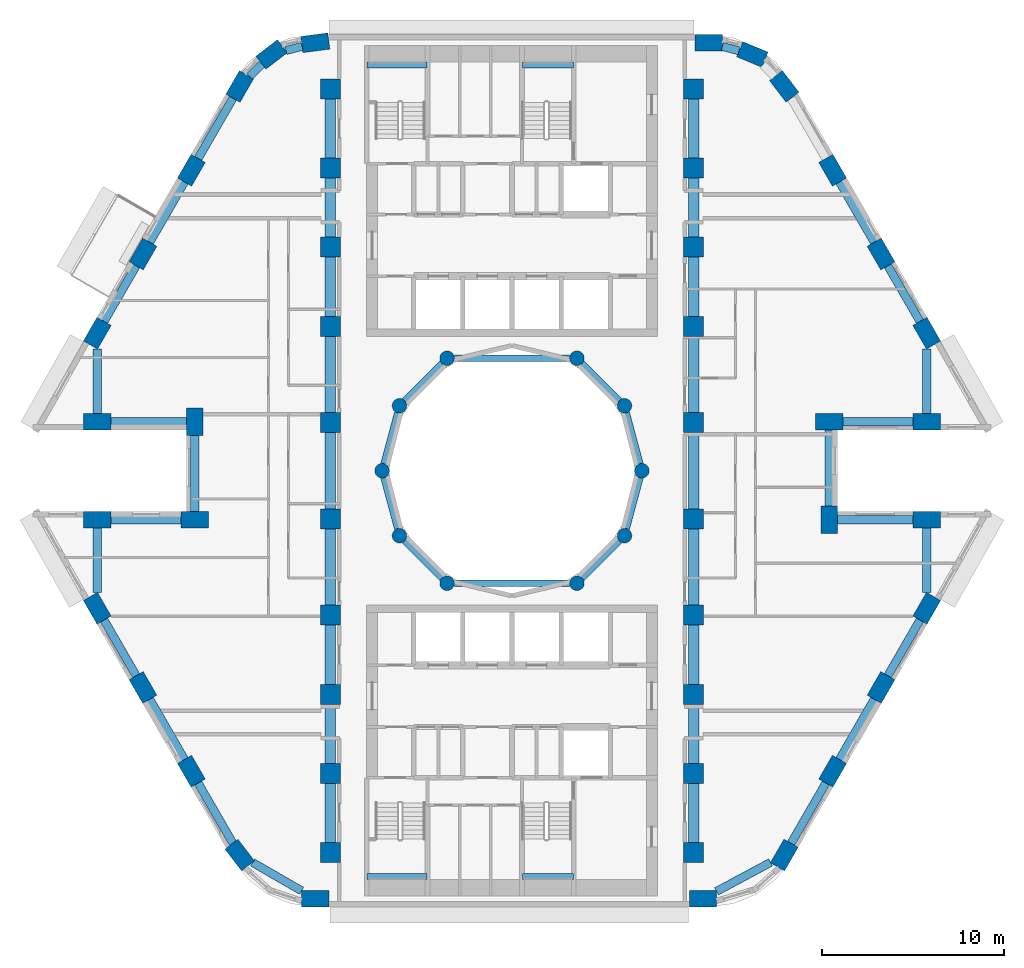
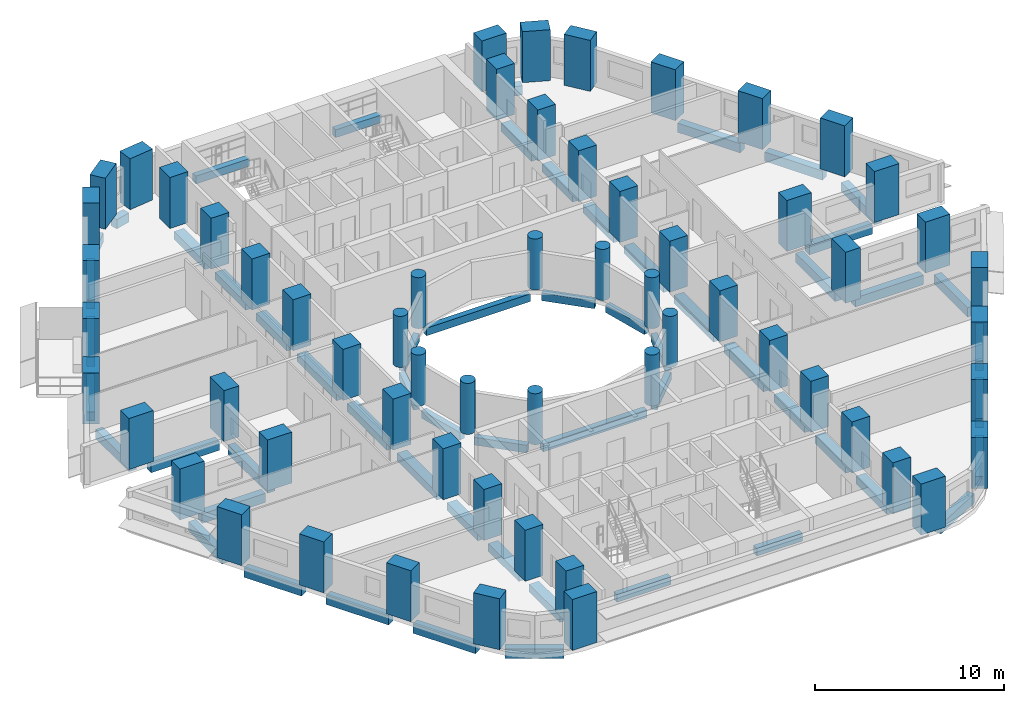
# One storey, part 1 of 13: 60 columns, 58 beams.
"""IFC4 building model written with IfcOpenShell, lengths in metres."""

from ifc_helpers import new_model, si_unit, direction, frame, origin, origin_2d, place, context, subcontext, project, spatial, rectangle, circle, extrude, material, material_profile, profile_set, type_object, element, save


model = new_model("IFC4")

# Units and contexts
model_context = context("Model", 3, precision=1e-05, world=origin(), true_north=direction((0.0, 1.0)))
body_context = subcontext(model_context, "Body", "Model", "MODEL_VIEW")
ifc_project = project(units=[si_unit("LENGTHUNIT", "METRE"), si_unit("AREAUNIT", "SQUARE_METRE"), si_unit("VOLUMEUNIT", "CUBIC_METRE"), si_unit("PLANEANGLEUNIT", "RADIAN"), si_unit("MASSUNIT", "GRAM", prefix="KILO")], contexts=[model_context])

# Site, building, storey
site_placement = place(None, origin())
site = spatial("IfcSite", under=ifc_project, at=site_placement, CompositionType="ELEMENT")
building_placement = place(site_placement, origin())
building = spatial("IfcBuilding", under=site, at=building_placement, Name="Nakaniwa Court", CompositionType="ELEMENT")
storey_placement = place(building_placement, frame((0.0, 0.0, 48.0)))
storey = spatial("IfcBuildingStorey", under=building, at=storey_placement, Name="L12", CompositionType="ELEMENT", Elevation=48.0)

# Columns
ifc_material_1 = material(Name="Concrete C100/115", Category="concrete")
ifc_material_profile_1 = material_profile(ifc_material_1, rectangle(XDim=1.10009765625, YDim=1.10009765625, at=origin_2d()), Name="Concrete C100/115 RC 1100x1100 spine column")
ifc_profile_set_1 = profile_set([ifc_material_profile_1], Name="Concrete C100/115")
column_type_1 = type_object("IfcColumnType", Name="Concrete C100/115 RC 1100x1100 spine column", PredefinedType="COLUMN", material=ifc_profile_set_1)
for number, where, z_axis, x_axis, name in (
    (1, (90.0, 59.0, 0.0), (0.0, 0.0, 1.0), (0.0, 1.0, 0.0), "COLUMN CS-01"),
    (2, (90.0, 63.35009765625, 0.0), (0.0, 0.0, 1.0), (0.0, 1.0, 0.0), "COLUMN CS-02"),
    (3, (90.0, 67.699951171875, 0.0), (0.0, 0.0, 1.0), (0.0, 1.0, 0.0), "COLUMN CS-03"),
    (4, (90.0, 72.050048828125, 0.0), (0.0, 0.0, 1.0), (0.0, 1.0, 0.0), "COLUMN CS-04"),
    (5, (90.0, 77.35009765625, 0.0), (0.0, 0.0, 1.0), (0.0, 1.0, 0.0), "COLUMN CS-05"),
    (6, (90.0, 82.64990234375, 0.0), (0.0, 0.0, 1.0), (0.0, 1.0, 0.0), "COLUMN CS-06"),
    (7, (90.0, 87.949951171875, 0.0), (0.0, 0.0, 1.0), (0.0, 1.0, 0.0), "COLUMN CS-07"),
    (8, (90.0, 92.300048828125, 0.0), (0.0, 0.0, 1.0), (0.0, 1.0, 0.0), "COLUMN CS-08"),
    (9, (90.0, 96.64990234375, 0.0), (0.0, 0.0, 1.0), (0.0, 1.0, 0.0), "COLUMN CS-09"),
    (10, (90.0, 101.0, 0.0), (0.0, 0.0, 1.0), (0.0, 1.0, 0.0), "COLUMN CS-10"),
    (11, (70.0, 101.0, 0.0), (0.0, 0.0, 1.0), (0.0, -1.0, 0.0), "COLUMN CS-11"),
    (12, (70.0, 96.64990234375, 0.0), (0.0, 0.0, 1.0), (0.0, -1.0, 0.0), "COLUMN CS-12"),
    (13, (70.0, 92.300048828125, 0.0), (0.0, 0.0, 1.0), (0.0, -1.0, 0.0), "COLUMN CS-13"),
    (14, (70.0, 87.949951171875, 0.0), (0.0, 0.0, 1.0), (0.0, -1.0, 0.0), "COLUMN CS-14"),
    (15, (70.0, 82.64990234375, 0.0), (0.0, 0.0, 1.0), (0.0, -1.0, 0.0), "COLUMN CS-15"),
    (16, (70.0, 77.35009765625, 0.0), (0.0, 0.0, 1.0), (0.0, -1.0, 0.0), "COLUMN CS-16"),
    (17, (70.0, 72.050048828125, 0.0), (0.0, 0.0, 1.0), (0.0, -1.0, 0.0), "COLUMN CS-17"),
    (18, (70.0, 67.699951171875, 0.0), (0.0, 0.0, 1.0), (0.0, -1.0, 0.0), "COLUMN CS-18"),
    (19, (70.0, 63.35009765625, 0.0), (0.0, 0.0, 1.0), (0.0, -1.0, 0.0), "COLUMN CS-19"),
    (20, (70.0, 59.0, 0.0), (0.0, 0.0, 1.0), (0.0, -1.0, 0.0), "COLUMN CS-20"),
):
    element("IfcColumn", number, at=place(storey_placement, frame(where, z_axis=z_axis, x_axis=x_axis)), inside=storey, type_object=column_type_1, Name=name, PredefinedType="COLUMN", context=body_context, shape_type="SweptSolid", body=[
        extrude(rectangle(XDim=1.10009765625, YDim=1.10009765625, at=origin_2d()), origin(), (0.0, 0.0, 1.0), 3.300048828125),
    ])
ifc_material_profile_2 = material_profile(ifc_material_1, rectangle(XDim=1.5, YDim=0.89990234375, at=origin_2d()), Name="Concrete C100/115 RC 1500x900 perimeter column")
ifc_profile_set_2 = profile_set([ifc_material_profile_2], Name="Concrete C100/115")
column_type_2 = type_object("IfcColumnType", Name="Concrete C100/115 RC 1500x900 perimeter column", PredefinedType="COLUMN", material=ifc_profile_set_2)
for number, where, z_axis, x_axis, name in (
    (21, (69.17529296875, 103.550048828125, 0.0), (0.0, 0.0, 1.0), (-0.991442583111, -0.130543496177, 0.0), "COLUMN CO-01"),
    (22, (66.772705078125, 102.91015625, 0.0), (0.0, 0.0, 1.0), (-0.793363965062, -0.608747582288, 0.0), "COLUMN CO-02"),
    (23, (65.017578125, 101.1494140625, 0.0), (0.0, 0.0, 1.0), (-0.5, -0.866025403784, 0.0), "COLUMN CO-03"),
    (24, (62.3544921875, 96.537109375, 0.0), (0.0, 0.0, 1.0), (-0.5, -0.866025403784, 0.0), "COLUMN CO-04"),
    (25, (59.691650390625, 91.9248046875, 0.0), (0.0, 0.0, 1.0), (-0.5, -0.866025403784, 0.0), "COLUMN CO-05"),
    (26, (57.177001953125, 87.569580078125, 0.0), (0.0, 0.0, 1.0), (-0.5, -0.866025403784, 0.0), "COLUMN CO-06"),
    (27, (57.177001953125, 82.699951171875, 0.0), (0.0, 0.0, 1.0), (1.0, 0.0, 0.0), "COLUMN CO-08"),
    (28, (62.54150390625, 82.699951171875, 0.0), (0.0, 0.0, 1.0), (0.0, -1.0, 0.0), "COLUMN CO-09"),
    (29, (62.54150390625, 77.300048828125, 0.0), (0.0, 0.0, 1.0), (-1.0, 0.0, 0.0), "COLUMN CO-10"),
    (30, (57.177001953125, 77.300048828125, 0.0), (0.0, 0.0, 1.0), (-1.0, 0.0, 0.0), "COLUMN CO-11"),
    (31, (57.177001953125, 72.430419921875, 0.0), (0.0, 0.0, 1.0), (0.5, -0.866025403784, 0.0), "COLUMN CO-13"),
    (32, (59.691650390625, 68.0751953125, 0.0), (0.0, 0.0, 1.0), (0.5, -0.866025403784, 0.0), "COLUMN CO-14"),
    (33, (62.3544921875, 63.462890625, 0.0), (0.0, 0.0, 1.0), (0.5, -0.866025403784, 0.0), "COLUMN CO-15"),
    (34, (65.017578125, 58.8505859375, 0.0), (0.0, 0.0, 1.0), (0.608761429009, -0.793353340291, 0.0), "COLUMN CO-16"),
    (35, (69.17529296875, 56.449951171875, 0.0), (0.0, 0.0, 1.0), (1.0, 0.0, 0.0), "COLUMN CO-17"),
    (36, (90.507080078125, 56.449951171875, 0.0), (0.0, 0.0, 1.0), (1.0, 0.0, 0.0), "COLUMN CO-21"),
    (37, (94.982421875, 58.8505859375, 0.0), (0.0, 0.0, 1.0), (0.5, 0.866025403784, 0.0), "COLUMN CO-22"),
    (38, (97.6455078125, 63.462890625, 0.0), (0.0, 0.0, 1.0), (0.5, 0.866025403784, 0.0), "COLUMN CO-23"),
    (39, (100.308349609375, 68.0751953125, 0.0), (0.0, 0.0, 1.0), (0.5, 0.866025403784, 0.0), "COLUMN CO-24"),
    (40, (102.822998046875, 72.430419921875, 0.0), (0.0, 0.0, 1.0), (0.5, 0.866025403784, 0.0), "COLUMN CO-25"),
    (41, (102.822998046875, 77.300048828125, 0.0), (0.0, 0.0, 1.0), (-1.0, 0.0, 0.0), "COLUMN CO-27"),
    (42, (97.45849609375, 77.300048828125, 0.0), (0.0, 0.0, 1.0), (0.0, 1.0, 0.0), "COLUMN CO-28"),
    (43, (97.45849609375, 82.699951171875, 0.0), (0.0, 0.0, 1.0), (1.0, 0.0, 0.0), "COLUMN CO-29"),
    (44, (102.822998046875, 82.699951171875, 0.0), (0.0, 0.0, 1.0), (1.0, 0.0, 0.0), "COLUMN CO-30"),
    (45, (102.822998046875, 87.569580078125, 0.0), (0.0, 0.0, 1.0), (-0.5, 0.866025403784, 0.0), "COLUMN CO-32"),
    (46, (100.308349609375, 91.9248046875, 0.0), (0.0, 0.0, 1.0), (-0.5, 0.866025403784, 0.0), "COLUMN CO-33"),
    (47, (97.6455078125, 96.537109375, 0.0), (0.0, 0.0, 1.0), (-0.5, 0.866025403784, 0.0), "COLUMN CO-34"),
    (48, (94.982421875, 101.1494140625, 0.0), (0.0, 0.0, 1.0), (-0.608761429009, 0.793353340291, 0.0), "COLUMN CO-35"),
    (49, (93.227294921875, 102.91015625, 0.0), (0.0, 0.0, 1.0), (-0.923879532511, 0.382683432365, 0.0), "COLUMN CO-36"),
    (50, (90.82470703125, 103.550048828125, 0.0), (0.0, 0.0, 1.0), (-1.0, 0.0, 0.0), "COLUMN CO-37"),
):
    element("IfcColumn", number, at=place(storey_placement, frame(where, z_axis=z_axis, x_axis=x_axis)), inside=storey, type_object=column_type_2, Name=name, PredefinedType="COLUMN", context=body_context, shape_type="SweptSolid", body=[
        extrude(rectangle(XDim=1.5, YDim=0.89990234375, at=origin_2d()), origin(), (0.0, 0.0, 1.0), 3.300048828125),
    ])
ifc_material_profile_3 = material_profile(ifc_material_1, circle(Radius=0.39990234375, at=origin_2d()), Name="Concrete C100/115 RC D800 inner ring column")
ifc_profile_set_3 = profile_set([ifc_material_profile_3], Name="Concrete C100/115")
column_type_3 = type_object("IfcColumnType", Name="Concrete C100/115 RC D800 inner ring column", PredefinedType="COLUMN", material=ifc_profile_set_3)
for number, where, z_axis, x_axis, name in (
    (51, (87.14990234375, 80.0, 0.0), (0.0, 0.0, 1.0), (0.0, 1.0, 0.0), "COLUMN CI-01"),
    (52, (86.192138671875, 83.574951171875, 0.0), (0.0, 0.0, 1.0), (-0.5, 0.866025403784, 0.0), "COLUMN CI-02"),
    (53, (83.574951171875, 86.192138671875, 0.0), (0.0, 0.0, 1.0), (-0.866025403784, 0.5, 0.0), "COLUMN CI-03"),
    (54, (76.425048828125, 86.192138671875, 0.0), (0.0, 0.0, 1.0), (-0.866025403784, -0.5, 0.0), "COLUMN CI-05"),
    (55, (73.807861328125, 83.574951171875, 0.0), (0.0, 0.0, 1.0), (-0.5, -0.866025403784, 0.0), "COLUMN CI-06"),
    (56, (72.85009765625, 80.0, 0.0), (0.0, 0.0, 1.0), (0.0, -1.0, 0.0), "COLUMN CI-07"),
    (57, (73.807861328125, 76.425048828125, 0.0), (0.0, 0.0, 1.0), (0.5, -0.866025403784, 0.0), "COLUMN CI-08"),
    (58, (76.425048828125, 73.807861328125, 0.0), (0.0, 0.0, 1.0), (0.866025403784, -0.5, 0.0), "COLUMN CI-09"),
    (59, (83.574951171875, 73.807861328125, 0.0), (0.0, 0.0, 1.0), (0.866025403784, 0.5, 0.0), "COLUMN CI-11"),
    (60, (86.192138671875, 76.425048828125, 0.0), (0.0, 0.0, 1.0), (0.5, 0.866025403784, 0.0), "COLUMN CI-12"),
):
    element("IfcColumn", number, at=place(storey_placement, frame(where, z_axis=z_axis, x_axis=x_axis)), inside=storey, type_object=column_type_3, Name=name, PredefinedType="COLUMN", context=body_context, shape_type="SweptSolid", body=[
        extrude(circle(Radius=0.39990234375, at=origin_2d()), origin(), (0.0, 0.0, 1.0), 3.300048828125),
    ])

# Beams
ifc_material_profile_4 = material_profile(ifc_material_1, rectangle(XDim=0.35009765625, YDim=0.5, at=origin_2d()), Name="Concrete C100/115 RC 350x500 ring beam")
ifc_profile_set_4 = profile_set([ifc_material_profile_4], Name="Concrete C100/115")
beam_type_1 = type_object("IfcBeamType", Name="Concrete C100/115 RC 350x500 ring beam", PredefinedType="BEAM", material=ifc_profile_set_4)
beam_1_placement = place(storey_placement, frame((87.04638671875, 80.386474609375, -0.52490234375), z_axis=(-0.258778150207, 0.965936783115, 0.0), x_axis=(-0.965936783115, -0.258778150207, 0.0)))
element("IfcBeam", 61, at=beam_1_placement, inside=storey, type_object=beam_type_1, Name="RING BEAM", PredefinedType="BEAM", context=body_context, shape_type="SweptSolid", body=[
    extrude(rectangle(XDim=0.35009765625, YDim=0.5, at=origin_2d()), origin(), (0.0, 0.0, 1.0), 2.901123046875),
])
beam_2_placement = place(storey_placement, frame((85.9091796875, 83.85791015625, -0.52490234375), z_axis=(-0.707106781187, 0.707106781187, 0.0), x_axis=(-0.707106781187, -0.707106781187, 0.0)))
element("IfcBeam", 62, at=beam_2_placement, inside=storey, type_object=beam_type_1, Name="RING BEAM", PredefinedType="BEAM", context=body_context, shape_type="SweptSolid", body=[
    extrude(rectangle(XDim=0.35009765625, YDim=0.5, at=origin_2d()), origin(), (0.0, 0.0, 1.0), 2.90087890625),
])
beam_3_placement = place(storey_placement, frame((83.175048828125, 86.192138671875, -0.52490234375), z_axis=(-1.0, 0.0, 0.0), x_axis=(0.0, -1.0, 0.0)))
element("IfcBeam", 63, at=beam_3_placement, inside=storey, type_object=beam_type_1, Name="RING BEAM", PredefinedType="BEAM", context=body_context, shape_type="SweptSolid", body=[
    extrude(rectangle(XDim=0.35009765625, YDim=0.5, at=origin_2d()), origin(), (0.0, 0.0, 1.0), 6.35009765625),
])
beam_4_placement = place(storey_placement, frame((76.14208984375, 85.9091796875, -0.52490234375), z_axis=(-0.707106781187, -0.707106781187, 0.0), x_axis=(0.707106781187, -0.707106781187, 0.0)))
element("IfcBeam", 64, at=beam_4_placement, inside=storey, type_object=beam_type_1, Name="RING BEAM", PredefinedType="BEAM", context=body_context, shape_type="SweptSolid", body=[
    extrude(rectangle(XDim=0.35009765625, YDim=0.5, at=origin_2d()), origin(), (0.0, 0.0, 1.0), 2.90087890625),
])
for number, where, z_axis, x_axis, name in (
    (65, (73.704345703125, 83.188720703125, -0.52490234375), (-0.258778150207, -0.965936783115, 0.0), (0.965936783115, -0.258778150207, 0.0), "RING BEAM"),
    (66, (72.95361328125, 79.613525390625, -0.52490234375), (0.258778150207, -0.965936783115, 0.0), (0.965936783115, 0.258778150207, 0.0), "RING BEAM"),
):
    element("IfcBeam", number, at=place(storey_placement, frame(where, z_axis=z_axis, x_axis=x_axis)), inside=storey, type_object=beam_type_1, Name=name, PredefinedType="BEAM", context=body_context, shape_type="SweptSolid", body=[
        extrude(rectangle(XDim=0.35009765625, YDim=0.5, at=origin_2d()), origin(), (0.0, 0.0, 1.0), 2.901123046875),
    ])
beam_5_placement = place(storey_placement, frame((74.0908203125, 76.14208984375, -0.52490234375), z_axis=(0.707106781187, -0.707106781187, 0.0), x_axis=(0.707106781187, 0.707106781187, 0.0)))
element("IfcBeam", 67, at=beam_5_placement, inside=storey, type_object=beam_type_1, Name="RING BEAM", PredefinedType="BEAM", context=body_context, shape_type="SweptSolid", body=[
    extrude(rectangle(XDim=0.35009765625, YDim=0.5, at=origin_2d()), origin(), (0.0, 0.0, 1.0), 2.90087890625),
])
beam_6_placement = place(storey_placement, frame((76.824951171875, 73.807861328125, -0.52490234375), z_axis=(1.0, 0.0, 0.0), x_axis=(0.0, 1.0, 0.0)))
element("IfcBeam", 68, at=beam_6_placement, inside=storey, type_object=beam_type_1, Name="RING BEAM", PredefinedType="BEAM", context=body_context, shape_type="SweptSolid", body=[
    extrude(rectangle(XDim=0.35009765625, YDim=0.5, at=origin_2d()), origin(), (0.0, 0.0, 1.0), 6.35009765625),
])
beam_7_placement = place(storey_placement, frame((83.85791015625, 74.0908203125, -0.52490234375), z_axis=(0.707106781187, 0.707106781187, 0.0), x_axis=(-0.707106781187, 0.707106781187, 0.0)))
element("IfcBeam", 69, at=beam_7_placement, inside=storey, type_object=beam_type_1, Name="RING BEAM", PredefinedType="BEAM", context=body_context, shape_type="SweptSolid", body=[
    extrude(rectangle(XDim=0.35009765625, YDim=0.5, at=origin_2d()), origin(), (0.0, 0.0, 1.0), 2.90087890625),
])
beam_8_placement = place(storey_placement, frame((86.295654296875, 76.811279296875, -0.52490234375), z_axis=(0.258778150207, 0.965936783115, 0.0), x_axis=(-0.965936783115, 0.258778150207, 0.0)))
element("IfcBeam", 70, at=beam_8_placement, inside=storey, type_object=beam_type_1, Name="RING BEAM", PredefinedType="BEAM", context=body_context, shape_type="SweptSolid", body=[
    extrude(rectangle(XDim=0.35009765625, YDim=0.5, at=origin_2d()), origin(), (0.0, 0.0, 1.0), 2.901123046875),
])
ifc_material_profile_5 = material_profile(ifc_material_1, rectangle(XDim=0.449951171875, YDim=0.60009765625, at=origin_2d()), Name="Concrete C100/115 RC 450x600 spandrel beam")
ifc_profile_set_5 = profile_set([ifc_material_profile_5], Name="Concrete C100/115")
beam_type_2 = type_object("IfcBeamType", Name="Concrete C100/115 RC 450x600 spandrel beam", PredefinedType="BEAM", material=ifc_profile_set_5)
beam_9_placement = place(storey_placement, frame((68.444580078125, 103.35546875, -0.574951171875), z_axis=(-0.966287893493, -0.25746399144, 0.0), x_axis=(0.25746399144, -0.966287893493, 0.0)))
element("IfcBeam", 71, at=beam_9_placement, inside=storey, type_object=beam_type_2, Name="SPANDREL BEAM", PredefinedType="BEAM", context=body_context, shape_type="SweptSolid", body=[
    extrude(rectangle(XDim=0.449951171875, YDim=0.60009765625, at=origin_2d()), origin(), (0.0, 0.0, 1.0), 0.91796875),
])
beam_10_placement = place(storey_placement, frame((66.238525390625, 102.374267578125, -0.574951171875), z_axis=(-0.706081618928, -0.708130459317, 0.0), x_axis=(0.708130459317, -0.706081618928, 0.0)))
element("IfcBeam", 72, at=beam_10_placement, inside=storey, type_object=beam_type_2, Name="SPANDREL BEAM", PredefinedType="BEAM", context=body_context, shape_type="SweptSolid", body=[
    extrude(rectangle(XDim=0.449951171875, YDim=0.60009765625, at=origin_2d()), origin(), (0.0, 0.0, 1.0), 0.953369140625),
])
beam_11_placement = place(storey_placement, frame((64.642578125, 100.5, -0.574951171875), z_axis=(-0.500009674092, -0.866019818373, 0.0), x_axis=(0.866019818373, -0.500009674092, 0.0)))
element("IfcBeam", 73, at=beam_11_placement, inside=storey, type_object=beam_type_2, Name="SPANDREL BEAM", PredefinedType="BEAM", context=body_context, shape_type="SweptSolid", body=[
    extrude(rectangle(XDim=0.449951171875, YDim=0.60009765625, at=origin_2d()), origin(), (0.0, 0.0, 1.0), 3.826171875),
])
beam_12_placement = place(storey_placement, frame((61.9794921875, 95.8876953125, -0.574951171875), z_axis=(-0.499961815444, -0.866047448526, 0.0), x_axis=(0.866047448526, -0.499961815444, 0.0)))
element("IfcBeam", 74, at=beam_12_placement, inside=storey, type_object=beam_type_2, Name="SPANDREL BEAM", PredefinedType="BEAM", context=body_context, shape_type="SweptSolid", body=[
    extrude(rectangle(XDim=0.449951171875, YDim=0.60009765625, at=origin_2d()), origin(), (0.0, 0.0, 1.0), 3.825927734375),
])
beam_13_placement = place(storey_placement, frame((59.316650390625, 91.275146484375, -0.574951171875), z_axis=(-0.500067800301, -0.865986255723, 0.0), x_axis=(0.865986255723, -0.500067800301, 0.0)))
element("IfcBeam", 75, at=beam_13_placement, inside=storey, type_object=beam_type_2, Name="SPANDREL BEAM", PredefinedType="BEAM", context=body_context, shape_type="SweptSolid", body=[
    extrude(rectangle(XDim=0.449951171875, YDim=0.60009765625, at=origin_2d()), origin(), (0.0, 0.0, 1.0), 3.52880859375),
])
beam_14_placement = place(storey_placement, frame((57.177001953125, 86.70361328125, -0.574951171875), z_axis=(0.0, -1.0, 0.0), x_axis=(1.0, 0.0, 0.0)))
element("IfcBeam", 76, at=beam_14_placement, inside=storey, type_object=beam_type_2, Name="SPANDREL BEAM", PredefinedType="BEAM", context=body_context, shape_type="SweptSolid", body=[
    extrude(rectangle(XDim=0.449951171875, YDim=0.60009765625, at=origin_2d()), origin(), (0.0, 0.0, 1.0), 3.5537109375),
])
beam_15_placement = place(storey_placement, frame((57.927001953125, 82.699951171875, -0.574951171875), z_axis=(1.0, 0.0, 0.0), x_axis=(0.0, 1.0, 0.0)))
element("IfcBeam", 77, at=beam_15_placement, inside=storey, type_object=beam_type_2, Name="SPANDREL BEAM", PredefinedType="BEAM", context=body_context, shape_type="SweptSolid", body=[
    extrude(rectangle(XDim=0.449951171875, YDim=0.60009765625, at=origin_2d()), origin(), (0.0, 0.0, 1.0), 4.16455078125),
])
beam_16_placement = place(storey_placement, frame((62.54150390625, 81.949951171875, -0.574951171875), z_axis=(0.0, -1.0, 0.0), x_axis=(1.0, 0.0, 0.0)))
element("IfcBeam", 78, at=beam_16_placement, inside=storey, type_object=beam_type_2, Name="SPANDREL BEAM", PredefinedType="BEAM", context=body_context, shape_type="SweptSolid", body=[
    extrude(rectangle(XDim=0.449951171875, YDim=0.60009765625, at=origin_2d()), origin(), (0.0, 0.0, 1.0), 4.199951171875),
])
beam_17_placement = place(storey_placement, frame((61.79150390625, 77.300048828125, -0.574951171875), z_axis=(-1.0, 0.0, 0.0), x_axis=(0.0, -1.0, 0.0)))
element("IfcBeam", 79, at=beam_17_placement, inside=storey, type_object=beam_type_2, Name="SPANDREL BEAM", PredefinedType="BEAM", context=body_context, shape_type="SweptSolid", body=[
    extrude(rectangle(XDim=0.449951171875, YDim=0.60009765625, at=origin_2d()), origin(), (0.0, 0.0, 1.0), 3.864501953125),
])
beam_18_placement = place(storey_placement, frame((57.177001953125, 76.85009765625, -0.574951171875), z_axis=(0.0, -1.0, 0.0), x_axis=(1.0, 0.0, 0.0)))
element("IfcBeam", 80, at=beam_18_placement, inside=storey, type_object=beam_type_2, Name="SPANDREL BEAM", PredefinedType="BEAM", context=body_context, shape_type="SweptSolid", body=[
    extrude(rectangle(XDim=0.449951171875, YDim=0.60009765625, at=origin_2d()), origin(), (0.0, 0.0, 1.0), 3.5537109375),
])
beam_19_placement = place(storey_placement, frame((57.552001953125, 71.78076171875, -0.574951171875), z_axis=(0.500067800301, -0.865986255723, 0.0), x_axis=(0.865986255723, 0.500067800301, 0.0)))
element("IfcBeam", 81, at=beam_19_placement, inside=storey, type_object=beam_type_2, Name="SPANDREL BEAM", PredefinedType="BEAM", context=body_context, shape_type="SweptSolid", body=[
    extrude(rectangle(XDim=0.449951171875, YDim=0.60009765625, at=origin_2d()), origin(), (0.0, 0.0, 1.0), 3.52880859375),
])
beam_20_placement = place(storey_placement, frame((60.066650390625, 67.42578125, -0.574951171875), z_axis=(0.499961815444, -0.866047448526, 0.0), x_axis=(0.866047448526, 0.499961815444, 0.0)))
element("IfcBeam", 82, at=beam_20_placement, inside=storey, type_object=beam_type_2, Name="SPANDREL BEAM", PredefinedType="BEAM", context=body_context, shape_type="SweptSolid", body=[
    extrude(rectangle(XDim=0.449951171875, YDim=0.60009765625, at=origin_2d()), origin(), (0.0, 0.0, 1.0), 3.825927734375),
])
beam_21_placement = place(storey_placement, frame((62.7294921875, 62.8134765625, -0.574951171875), z_axis=(0.500023067617, -0.86601208528, 0.0), x_axis=(0.86601208528, 0.500023067617, 0.0)))
element("IfcBeam", 83, at=beam_21_placement, inside=storey, type_object=beam_type_2, Name="SPANDREL BEAM", PredefinedType="BEAM", context=body_context, shape_type="SweptSolid", body=[
    extrude(rectangle(XDim=0.449951171875, YDim=0.60009765625, at=origin_2d()), origin(), (0.0, 0.0, 1.0), 3.819580078125),
])
beam_22_placement = place(storey_placement, frame((65.720458984375, 58.444580078125, -0.574951171875), z_axis=(0.866041096587, -0.499972818284, 0.0), x_axis=(0.499972818284, 0.866041096587, 0.0)))
element("IfcBeam", 84, at=beam_22_placement, inside=storey, type_object=beam_type_2, Name="SPANDREL BEAM", PredefinedType="BEAM", context=body_context, shape_type="SweptSolid", body=[
    extrude(rectangle(XDim=0.449951171875, YDim=0.60009765625, at=origin_2d()), origin(), (0.0, 0.0, 1.0), 3.123291015625),
])
beam_23_placement = place(storey_placement, frame((91.257080078125, 56.852294921875, -0.574951171875), z_axis=(0.881234537383, 0.472679267711, 0.0), x_axis=(-0.472679267711, 0.881234537383, 0.0)))
element("IfcBeam", 85, at=beam_23_placement, inside=storey, type_object=beam_type_2, Name="SPANDREL BEAM", PredefinedType="BEAM", context=body_context, shape_type="SweptSolid", body=[
    extrude(rectangle(XDim=0.449951171875, YDim=0.60009765625, at=origin_2d()), origin(), (0.0, 0.0, 1.0), 3.373291015625),
])
beam_24_placement = place(storey_placement, frame((95.357421875, 59.5, -0.574951171875), z_axis=(0.500009674092, 0.866019818373, 0.0), x_axis=(-0.866019818373, 0.500009674092, 0.0)))
element("IfcBeam", 86, at=beam_24_placement, inside=storey, type_object=beam_type_2, Name="SPANDREL BEAM", PredefinedType="BEAM", context=body_context, shape_type="SweptSolid", body=[
    extrude(rectangle(XDim=0.449951171875, YDim=0.60009765625, at=origin_2d()), origin(), (0.0, 0.0, 1.0), 3.826171875),
])
beam_25_placement = place(storey_placement, frame((98.0205078125, 64.1123046875, -0.574951171875), z_axis=(0.499961815444, 0.866047448526, 0.0), x_axis=(-0.866047448526, 0.499961815444, 0.0)))
element("IfcBeam", 87, at=beam_25_placement, inside=storey, type_object=beam_type_2, Name="SPANDREL BEAM", PredefinedType="BEAM", context=body_context, shape_type="SweptSolid", body=[
    extrude(rectangle(XDim=0.449951171875, YDim=0.60009765625, at=origin_2d()), origin(), (0.0, 0.0, 1.0), 3.825927734375),
])
beam_26_placement = place(storey_placement, frame((100.683349609375, 68.724853515625, -0.574951171875), z_axis=(0.500067800301, 0.865986255723, 0.0), x_axis=(-0.865986255723, 0.500067800301, 0.0)))
element("IfcBeam", 88, at=beam_26_placement, inside=storey, type_object=beam_type_2, Name="SPANDREL BEAM", PredefinedType="BEAM", context=body_context, shape_type="SweptSolid", body=[
    extrude(rectangle(XDim=0.449951171875, YDim=0.60009765625, at=origin_2d()), origin(), (0.0, 0.0, 1.0), 3.52880859375),
])
beam_27_placement = place(storey_placement, frame((102.822998046875, 73.29638671875, -0.574951171875), z_axis=(0.0, 1.0, 0.0), x_axis=(-1.0, 0.0, 0.0)))
element("IfcBeam", 89, at=beam_27_placement, inside=storey, type_object=beam_type_2, Name="SPANDREL BEAM", PredefinedType="BEAM", context=body_context, shape_type="SweptSolid", body=[
    extrude(rectangle(XDim=0.449951171875, YDim=0.60009765625, at=origin_2d()), origin(), (0.0, 0.0, 1.0), 3.5537109375),
])
beam_28_placement = place(storey_placement, frame((102.072998046875, 77.300048828125, -0.574951171875), z_axis=(-1.0, 0.0, 0.0), x_axis=(0.0, -1.0, 0.0)))
element("IfcBeam", 90, at=beam_28_placement, inside=storey, type_object=beam_type_2, Name="SPANDREL BEAM", PredefinedType="BEAM", context=body_context, shape_type="SweptSolid", body=[
    extrude(rectangle(XDim=0.449951171875, YDim=0.60009765625, at=origin_2d()), origin(), (0.0, 0.0, 1.0), 4.16455078125),
])
beam_29_placement = place(storey_placement, frame((97.45849609375, 78.050048828125, -0.574951171875), z_axis=(0.0, 1.0, 0.0), x_axis=(-1.0, 0.0, 0.0)))
element("IfcBeam", 91, at=beam_29_placement, inside=storey, type_object=beam_type_2, Name="SPANDREL BEAM", PredefinedType="BEAM", context=body_context, shape_type="SweptSolid", body=[
    extrude(rectangle(XDim=0.449951171875, YDim=0.60009765625, at=origin_2d()), origin(), (0.0, 0.0, 1.0), 4.199951171875),
])
beam_30_placement = place(storey_placement, frame((98.20849609375, 82.699951171875, -0.574951171875), z_axis=(1.0, 0.0, 0.0), x_axis=(0.0, 1.0, 0.0)))
element("IfcBeam", 92, at=beam_30_placement, inside=storey, type_object=beam_type_2, Name="SPANDREL BEAM", PredefinedType="BEAM", context=body_context, shape_type="SweptSolid", body=[
    extrude(rectangle(XDim=0.449951171875, YDim=0.60009765625, at=origin_2d()), origin(), (0.0, 0.0, 1.0), 3.864501953125),
])
beam_31_placement = place(storey_placement, frame((102.822998046875, 83.14990234375, -0.574951171875), z_axis=(0.0, 1.0, 0.0), x_axis=(-1.0, 0.0, 0.0)))
element("IfcBeam", 93, at=beam_31_placement, inside=storey, type_object=beam_type_2, Name="SPANDREL BEAM", PredefinedType="BEAM", context=body_context, shape_type="SweptSolid", body=[
    extrude(rectangle(XDim=0.449951171875, YDim=0.60009765625, at=origin_2d()), origin(), (0.0, 0.0, 1.0), 3.5537109375),
])
beam_32_placement = place(storey_placement, frame((102.447998046875, 88.21923828125, -0.574951171875), z_axis=(-0.500067800301, 0.865986255723, 0.0), x_axis=(-0.865986255723, -0.500067800301, 0.0)))
element("IfcBeam", 94, at=beam_32_placement, inside=storey, type_object=beam_type_2, Name="SPANDREL BEAM", PredefinedType="BEAM", context=body_context, shape_type="SweptSolid", body=[
    extrude(rectangle(XDim=0.449951171875, YDim=0.60009765625, at=origin_2d()), origin(), (0.0, 0.0, 1.0), 3.52880859375),
])
beam_33_placement = place(storey_placement, frame((99.933349609375, 92.57421875, -0.574951171875), z_axis=(-0.499961815444, 0.866047448526, 0.0), x_axis=(-0.866047448526, -0.499961815444, 0.0)))
element("IfcBeam", 95, at=beam_33_placement, inside=storey, type_object=beam_type_2, Name="SPANDREL BEAM", PredefinedType="BEAM", context=body_context, shape_type="SweptSolid", body=[
    extrude(rectangle(XDim=0.449951171875, YDim=0.60009765625, at=origin_2d()), origin(), (0.0, 0.0, 1.0), 3.825927734375),
])
beam_34_placement = place(storey_placement, frame((92.49609375, 103.10498046875, -0.574951171875), z_axis=(-0.966324126494, 0.257327966912, 0.0), x_axis=(-0.257327966912, -0.966324126494, 0.0)))
element("IfcBeam", 96, at=beam_34_placement, inside=storey, type_object=beam_type_2, Name="SPANDREL BEAM", PredefinedType="BEAM", context=body_context, shape_type="SweptSolid", body=[
    extrude(rectangle(XDim=0.449951171875, YDim=0.60009765625, at=origin_2d()), origin(), (0.0, 0.0, 1.0), 0.95361328125),
])
ifc_material_profile_6 = material_profile(ifc_material_1, rectangle(XDim=0.60009765625, YDim=0.5, at=origin_2d()), Name="Concrete C100/115 RC 600x500 ring beam")
ifc_profile_set_6 = profile_set([ifc_material_profile_6], Name="Concrete C100/115")
beam_type_3 = type_object("IfcBeamType", Name="Concrete C100/115 RC 600x500 ring beam", PredefinedType="BEAM", material=ifc_profile_set_6)
for number, where, z_axis, x_axis, name in (
    (97, (90.0, 59.550048828125, -0.52490234375), (0.0, 1.0, 0.0), (-1.0, 0.0, 0.0), "RING BEAM"),
    (98, (90.0, 63.89990234375, -0.52490234375), (0.0, 1.0, 0.0), (-1.0, 0.0, 0.0), "RING BEAM"),
    (99, (90.0, 68.25, -0.52490234375), (0.0, 1.0, 0.0), (-1.0, 0.0, 0.0), "RING BEAM"),
):
    element("IfcBeam", number, at=place(storey_placement, frame(where, z_axis=z_axis, x_axis=x_axis)), inside=storey, type_object=beam_type_3, Name=name, PredefinedType="BEAM", context=body_context, shape_type="SweptSolid", body=[
        extrude(rectangle(XDim=0.60009765625, YDim=0.5, at=origin_2d()), origin(), (0.0, 0.0, 1.0), 3.25),
    ])
beam_35_placement = place(storey_placement, frame((90.0, 72.60009765625, -0.52490234375), z_axis=(0.0, 1.0, 0.0), x_axis=(-1.0, 0.0, 0.0)))
element("IfcBeam", 100, at=beam_35_placement, inside=storey, type_object=beam_type_3, Name="RING BEAM", PredefinedType="BEAM", context=body_context, shape_type="SweptSolid", body=[
    extrude(rectangle(XDim=0.60009765625, YDim=0.5, at=origin_2d()), origin(), (0.0, 0.0, 1.0), 4.199951171875),
])
beam_36_placement = place(storey_placement, frame((90.0, 77.89990234375, -0.52490234375), z_axis=(0.0, 1.0, 0.0), x_axis=(-1.0, 0.0, 0.0)))
element("IfcBeam", 101, at=beam_36_placement, inside=storey, type_object=beam_type_3, Name="RING BEAM", PredefinedType="BEAM", context=body_context, shape_type="SweptSolid", body=[
    extrude(rectangle(XDim=0.60009765625, YDim=0.5, at=origin_2d()), origin(), (0.0, 0.0, 1.0), 4.2001953125),
])
beam_37_placement = place(storey_placement, frame((90.0, 83.199951171875, -0.52490234375), z_axis=(0.0, 1.0, 0.0), x_axis=(-1.0, 0.0, 0.0)))
element("IfcBeam", 102, at=beam_37_placement, inside=storey, type_object=beam_type_3, Name="RING BEAM", PredefinedType="BEAM", context=body_context, shape_type="SweptSolid", body=[
    extrude(rectangle(XDim=0.60009765625, YDim=0.5, at=origin_2d()), origin(), (0.0, 0.0, 1.0), 4.199951171875),
])
for number, where, z_axis, x_axis, name in (
    (103, (90.0, 88.5, -0.52490234375), (0.0, 1.0, 0.0), (-1.0, 0.0, 0.0), "RING BEAM"),
    (104, (90.0, 92.85009765625, -0.52490234375), (0.0, 1.0, 0.0), (-1.0, 0.0, 0.0), "RING BEAM"),
    (105, (90.0, 97.199951171875, -0.52490234375), (0.0, 1.0, 0.0), (-1.0, 0.0, 0.0), "RING BEAM"),
    (106, (70.0, 100.449951171875, -0.52490234375), (0.0, -1.0, 0.0), (1.0, 0.0, 0.0), "RING BEAM"),
    (107, (70.0, 96.10009765625, -0.52490234375), (0.0, -1.0, 0.0), (1.0, 0.0, 0.0), "RING BEAM"),
    (108, (70.0, 91.75, -0.52490234375), (0.0, -1.0, 0.0), (1.0, 0.0, 0.0), "RING BEAM"),
):
    element("IfcBeam", number, at=place(storey_placement, frame(where, z_axis=z_axis, x_axis=x_axis)), inside=storey, type_object=beam_type_3, Name=name, PredefinedType="BEAM", context=body_context, shape_type="SweptSolid", body=[
        extrude(rectangle(XDim=0.60009765625, YDim=0.5, at=origin_2d()), origin(), (0.0, 0.0, 1.0), 3.25),
    ])
beam_38_placement = place(storey_placement, frame((70.0, 87.39990234375, -0.52490234375), z_axis=(0.0, -1.0, 0.0), x_axis=(1.0, 0.0, 0.0)))
element("IfcBeam", 109, at=beam_38_placement, inside=storey, type_object=beam_type_3, Name="RING BEAM", PredefinedType="BEAM", context=body_context, shape_type="SweptSolid", body=[
    extrude(rectangle(XDim=0.60009765625, YDim=0.5, at=origin_2d()), origin(), (0.0, 0.0, 1.0), 4.199951171875),
])
beam_39_placement = place(storey_placement, frame((70.0, 82.10009765625, -0.52490234375), z_axis=(0.0, -1.0, 0.0), x_axis=(1.0, 0.0, 0.0)))
element("IfcBeam", 110, at=beam_39_placement, inside=storey, type_object=beam_type_3, Name="RING BEAM", PredefinedType="BEAM", context=body_context, shape_type="SweptSolid", body=[
    extrude(rectangle(XDim=0.60009765625, YDim=0.5, at=origin_2d()), origin(), (0.0, 0.0, 1.0), 4.2001953125),
])
beam_40_placement = place(storey_placement, frame((70.0, 76.800048828125, -0.52490234375), z_axis=(0.0, -1.0, 0.0), x_axis=(1.0, 0.0, 0.0)))
element("IfcBeam", 111, at=beam_40_placement, inside=storey, type_object=beam_type_3, Name="RING BEAM", PredefinedType="BEAM", context=body_context, shape_type="SweptSolid", body=[
    extrude(rectangle(XDim=0.60009765625, YDim=0.5, at=origin_2d()), origin(), (0.0, 0.0, 1.0), 4.199951171875),
])
for number, where, z_axis, x_axis, name in (
    (112, (70.0, 71.5, -0.52490234375), (0.0, -1.0, 0.0), (1.0, 0.0, 0.0), "RING BEAM"),
    (113, (70.0, 67.14990234375, -0.52490234375), (0.0, -1.0, 0.0), (1.0, 0.0, 0.0), "RING BEAM"),
    (114, (70.0, 62.800048828125, -0.52490234375), (0.0, -1.0, 0.0), (1.0, 0.0, 0.0), "RING BEAM"),
):
    element("IfcBeam", number, at=place(storey_placement, frame(where, z_axis=z_axis, x_axis=x_axis)), inside=storey, type_object=beam_type_3, Name=name, PredefinedType="BEAM", context=body_context, shape_type="SweptSolid", body=[
        extrude(rectangle(XDim=0.60009765625, YDim=0.5, at=origin_2d()), origin(), (0.0, 0.0, 1.0), 3.25),
    ])
ifc_material_2 = material(Name="Concrete C80/100", Category="concrete")
ifc_material_profile_7 = material_profile(ifc_material_2, rectangle(XDim=0.35009765625, YDim=0.5, at=origin_2d()), Name="Concrete C80/100 RC 350x500 landing ledge beam")
ifc_profile_set_7 = profile_set([ifc_material_profile_7], Name="Concrete C80/100")
beam_type_4 = type_object("IfcBeamType", Name="Concrete C80/100 RC 350x500 landing ledge beam", PredefinedType="BEAM", material=ifc_profile_set_7)
beam_41_placement = place(storey_placement, frame((72.02490234375, 102.324951171875, 1.199951171875), z_axis=(1.0, 0.0, 0.0), x_axis=(0.0, 1.0, 0.0)))
element("IfcBeam", 115, at=beam_41_placement, inside=storey, type_object=beam_type_4, Name="LANDING LEDGE BEAM", PredefinedType="BEAM", context=body_context, shape_type="SweptSolid", body=[
    extrude(rectangle(XDim=0.35009765625, YDim=0.5, at=origin_2d()), origin(), (0.0, 0.0, 1.0), 3.300048828125),
])
beam_42_placement = place(storey_placement, frame((80.574951171875, 102.324951171875, 1.199951171875), z_axis=(1.0, 0.0, 0.0), x_axis=(0.0, 1.0, 0.0)))
element("IfcBeam", 116, at=beam_42_placement, inside=storey, type_object=beam_type_4, Name="LANDING LEDGE BEAM", PredefinedType="BEAM", context=body_context, shape_type="SweptSolid", body=[
    extrude(rectangle(XDim=0.35009765625, YDim=0.5, at=origin_2d()), origin(), (0.0, 0.0, 1.0), 2.800048828125),
])
beam_43_placement = place(storey_placement, frame((72.02490234375, 57.675048828125, 1.199951171875), z_axis=(1.0, 0.0, 0.0), x_axis=(0.0, 1.0, 0.0)))
element("IfcBeam", 117, at=beam_43_placement, inside=storey, type_object=beam_type_4, Name="LANDING LEDGE BEAM", PredefinedType="BEAM", context=body_context, shape_type="SweptSolid", body=[
    extrude(rectangle(XDim=0.35009765625, YDim=0.5, at=origin_2d()), origin(), (0.0, 0.0, 1.0), 3.300048828125),
])
beam_44_placement = place(storey_placement, frame((80.574951171875, 57.675048828125, 1.199951171875), z_axis=(1.0, 0.0, 0.0), x_axis=(0.0, 1.0, 0.0)))
element("IfcBeam", 118, at=beam_44_placement, inside=storey, type_object=beam_type_4, Name="LANDING LEDGE BEAM", PredefinedType="BEAM", context=body_context, shape_type="SweptSolid", body=[
    extrude(rectangle(XDim=0.35009765625, YDim=0.5, at=origin_2d()), origin(), (0.0, 0.0, 1.0), 2.800048828125),
])

save(model, "model.ifc")
